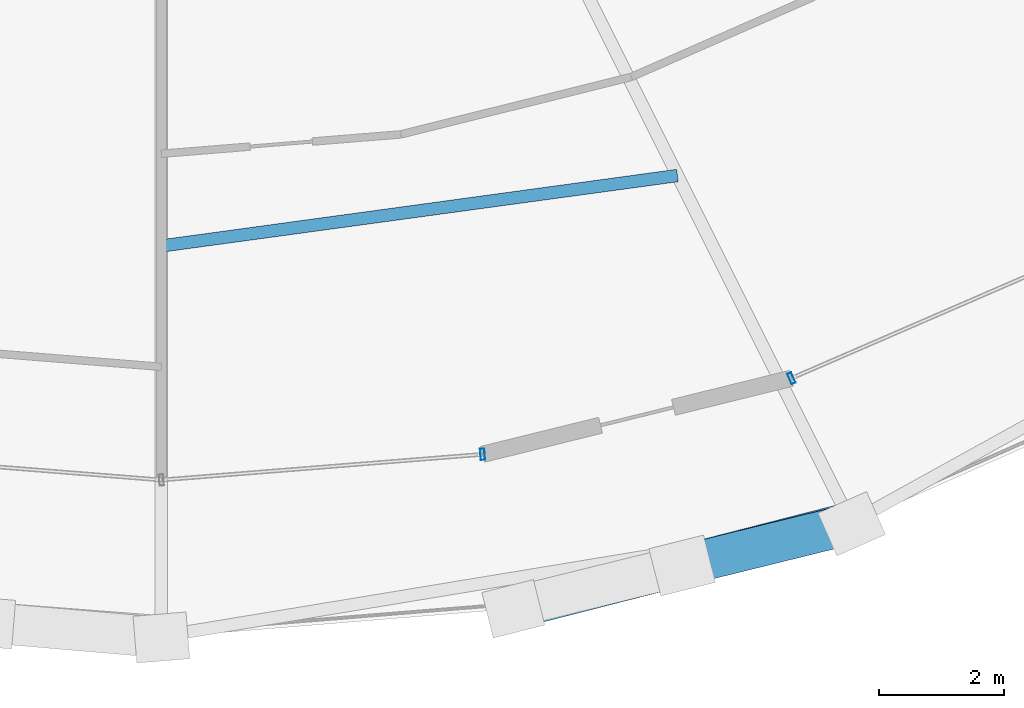
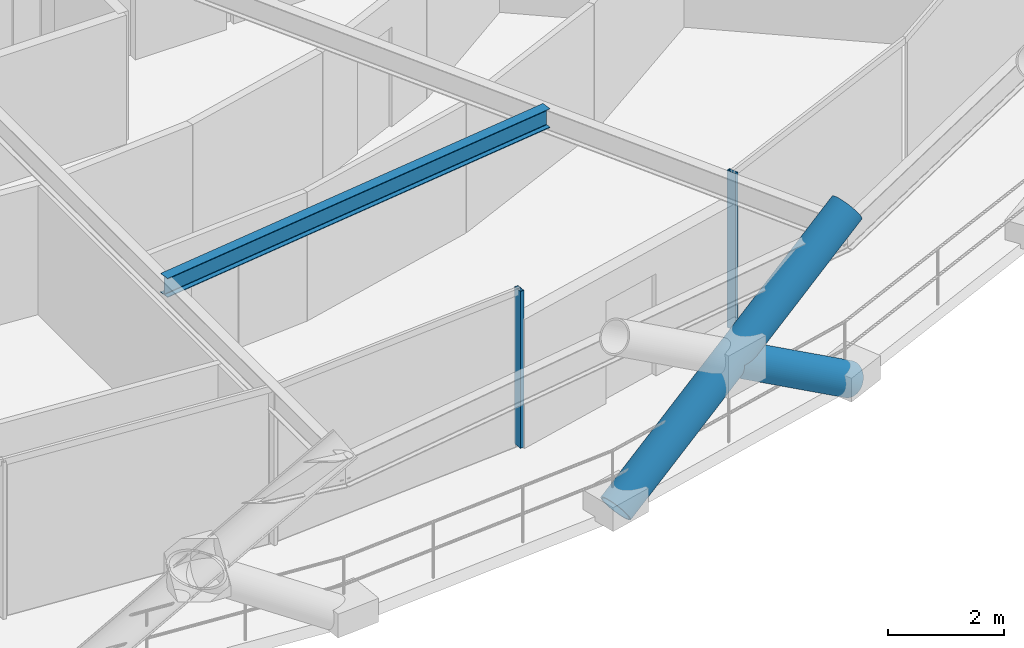
# One storey, part 5 of 21: 4 members, 1 beam, 2 elements without a shape of their own.
"""IFC4 building model written with IfcOpenShell, lengths in metres."""

from ifc_helpers import new_model, si_unit, direction, frame, origin, origin_2d, place, context, subcontext, project, spatial, hollow_rectangle, hollow_circle, i_section, extrude, material, layer, layer_set, material_profile, profile_set, type_object, element, aggregate, save


model = new_model("IFC4")

# Units and contexts
model_context = context("Model", 3, precision=1e-05, world=origin(), true_north=direction((0.0, 1.0)))
body_context = subcontext(model_context, "Body", "Model", "MODEL_VIEW")
ifc_project = project(units=[si_unit("LENGTHUNIT", "METRE"), si_unit("AREAUNIT", "SQUARE_METRE"), si_unit("VOLUMEUNIT", "CUBIC_METRE"), si_unit("PLANEANGLEUNIT", "RADIAN"), si_unit("MASSUNIT", "GRAM", prefix="KILO")], contexts=[model_context])

# Site, building, storey
site_placement = place(None, origin())
site = spatial("IfcSite", under=ifc_project, at=site_placement, CompositionType="ELEMENT")
building_placement = place(site_placement, origin())
building = spatial("IfcBuilding", under=site, at=building_placement, Name="Veldorina Hangang Commons", CompositionType="ELEMENT")
storey_placement = place(building_placement, frame((0.0, 0.0, 98.800048828125)))
storey = spatial("IfcBuildingStorey", under=building, at=storey_placement, Name="L25", CompositionType="ELEMENT", Elevation=98.800048828125)

# Beam
ifc_material_1 = material(Name="Steel SM355-TMC", Category="steel")
ifc_material_profile_1 = material_profile(ifc_material_1, i_section(OverallWidth=0.199951171875, OverallDepth=0.39990234375, WebThickness=0.008056640625, FlangeThickness=0.012939453125, FilletRadius=0.012939453125, at=origin_2d()), Name="H-400x200x8x13")
ifc_profile_set_1 = profile_set([ifc_material_profile_1], Name="Steel SM355-TMC")
beam_type = type_object("IfcBeamType", Name="BM-JST400", PredefinedType="JOIST", material=ifc_profile_set_1)
beam_placement = place(storey_placement, frame((32.0, 6.364990234375, 3.139892578125), z_axis=(0.990813398521, 0.135236124281, 0.0), x_axis=(-0.135236124281, 0.990813398521, 0.0)))
element("IfcBeam", 1, at=beam_placement, inside=storey, type_object=beam_type, Name="L25 secondary floor joist 13", PredefinedType="JOIST", context=body_context, shape_type="SweptSolid", body=[
    extrude(i_section(OverallWidth=0.199951171875, OverallDepth=0.39990234375, WebThickness=0.008056640625, FlangeThickness=0.012939453125, FilletRadius=0.012939453125, at=origin_2d()), origin(), (0.0, 0.0, 1.0), 8.331298828125),
])

# Curtain wall, member
ifc_material_2 = material(Name="Glass Low-E Triple IGU", Category="glass")
ifc_layer = layer(ifc_material_2, 0.179931640625)
ifc_layer_set = layer_set([ifc_layer], Name="Glass Low-E Triple IGU")
curtain_wall_type = type_object("IfcCurtainWallType", Name="CW-SYS-Z1", PredefinedType="NOTDEFINED", material=ifc_layer_set)
curtain_wall_1_placement = place(storey_placement, origin())
curtain_wall_1 = element("IfcCurtainWall", 2, at=curtain_wall_1_placement, inside=storey, type_object=curtain_wall_type, Name="L25 unitised curtain wall CW-L25-R1", PredefinedType="NOTDEFINED")
ifc_material_3 = material(Name="Aluminium Anodized AA6063-T6", Category="aluminium")
ifc_material_profile_2 = material_profile(ifc_material_3, hollow_rectangle(XDim=0.070068359375, YDim=0.179931640625, WallThickness=0.00390625, at=origin_2d()), Name="ALU-RHS-180x70x4")
ifc_profile_set_2 = profile_set([ifc_material_profile_2], Name="Aluminium Anodized AA6063-T6")
member_type_1 = type_object("IfcMemberType", Name="CW-MUL-180", PredefinedType="MULLION", material=ifc_profile_set_2)
member_1_placement = place(storey_placement, frame((37.1376953125, 3.0322265625, 0.0), z_axis=(0.0, 0.0, 1.0), x_axis=(-0.996817952017, -0.079711796718, 0.0)))
member_1 = element("IfcMember", 3, at=member_1_placement, type_object=member_type_1, Name="CW-L25-R1 vertical mullion 5", PredefinedType="MULLION", context=body_context, shape_type="SweptSolid", body=[
    extrude(hollow_rectangle(XDim=0.070068359375, YDim=0.179931640625, WallThickness=0.00390625, at=origin_2d()), origin(), (0.0, 0.0, 1.0), 3.300048828125),
])
aggregate(curtain_wall_1, [member_1])

curtain_wall_2_placement = place(storey_placement, origin())
curtain_wall_2 = element("IfcCurtainWall", 4, at=curtain_wall_2_placement, inside=storey, type_object=curtain_wall_type, Name="L25 unitised curtain wall CW-L25-R2", PredefinedType="NOTDEFINED")
member_2_placement = place(storey_placement, frame((42.077880859375, 4.248779296875, 0.0), z_axis=(0.0, 0.0, 1.0), x_axis=(0.917359073914, 0.398060710832, 0.0)))
member_2 = element("IfcMember", 5, at=member_2_placement, type_object=member_type_1, Name="CW-L25-R2 vertical mullion 1", PredefinedType="MULLION", context=body_context, shape_type="SweptSolid", body=[
    extrude(hollow_rectangle(XDim=0.070068359375, YDim=0.179931640625, WallThickness=0.00390625, at=origin_2d()), origin(), (0.0, 0.0, 1.0), 3.300048828125),
])
aggregate(curtain_wall_2, [member_2])

# Members
ifc_material_4 = material(Name="Steel SM460-TMC", Category="steel")
ifc_material_profile_3 = material_profile(ifc_material_4, hollow_circle(Radius=0.324951171875, WallThickness=0.031982421875, at=origin_2d()), Name="CHS-650x32")
ifc_profile_set_3 = profile_set([ifc_material_profile_3], Name="Steel SM460-TMC")
member_type_2 = type_object("IfcMemberType", Name="DG-CHS650", PredefinedType="BRACE", material=ifc_profile_set_3)
member_3_placement = place(storey_placement, frame((37.62939453125, 0.560791015625, 0.0), z_axis=(0.813763107309, 0.20840813166, 0.542545533427), x_axis=(-0.248097122806, 0.968735163838, 0.0)))
element("IfcMember", 6, at=member_3_placement, inside=storey, type_object=member_type_2, Name="L25 continuous perimeter diagrid brace 25", PredefinedType="BRACE", context=body_context, shape_type="SweptSolid", body=[
    extrude(hollow_circle(Radius=0.324951171875, WallThickness=0.031982421875, at=origin_2d()), origin(), (0.0, 0.0, 1.0), 6.635009765625),
])
member_4_placement = place(storey_placement, frame((43.042236328125, 1.920654296875, 0.0), z_axis=(-0.81598027684, -0.201019452317, 0.542003106631), x_axis=(0.239201663176, -0.970969909077, 0.0)))
element("IfcMember", 7, at=member_4_placement, inside=storey, type_object=member_type_2, Name="L25 split perimeter diagrid lower brace 26", PredefinedType="BRACE", context=body_context, shape_type="SweptSolid", body=[
    extrude(hollow_circle(Radius=0.324951171875, WallThickness=0.031982421875, at=origin_2d()), origin(), (0.0, 0.0, 1.0), 3.322998046875),
])

save(model, "model.ifc")
